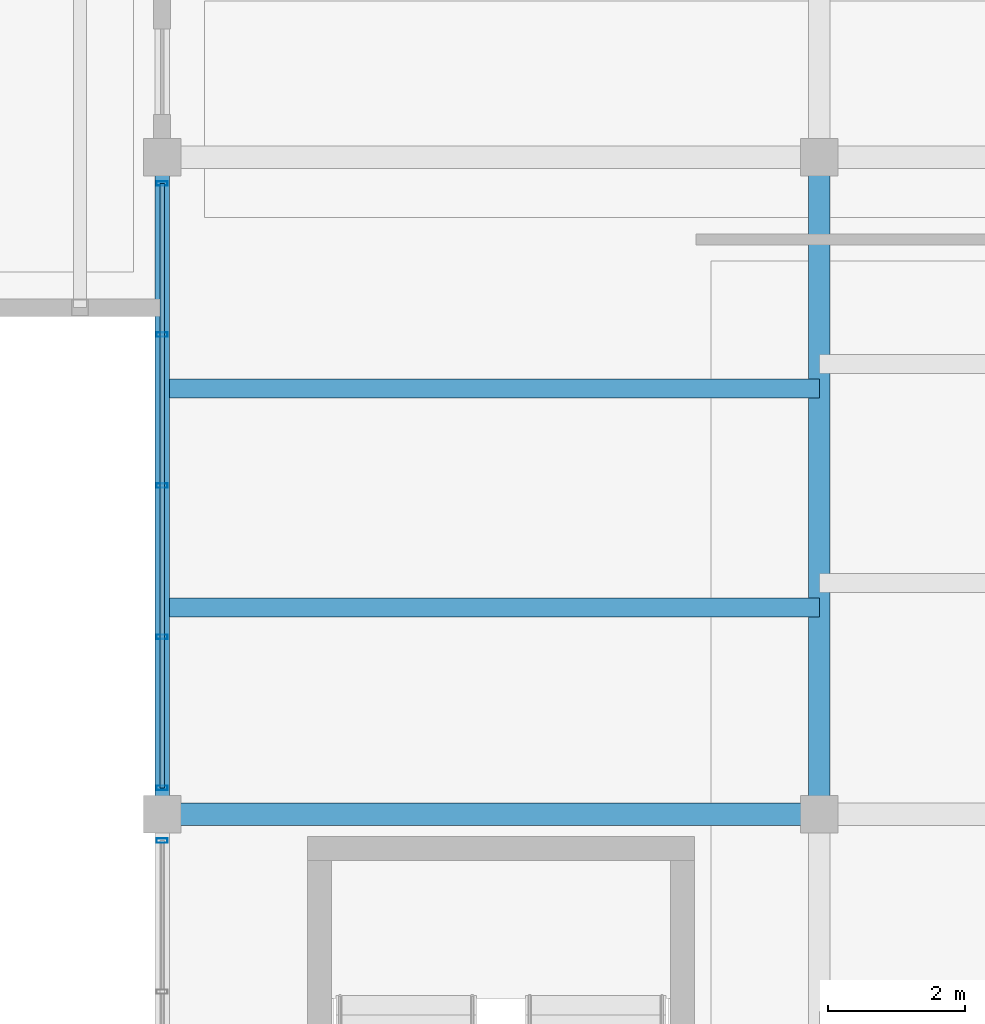
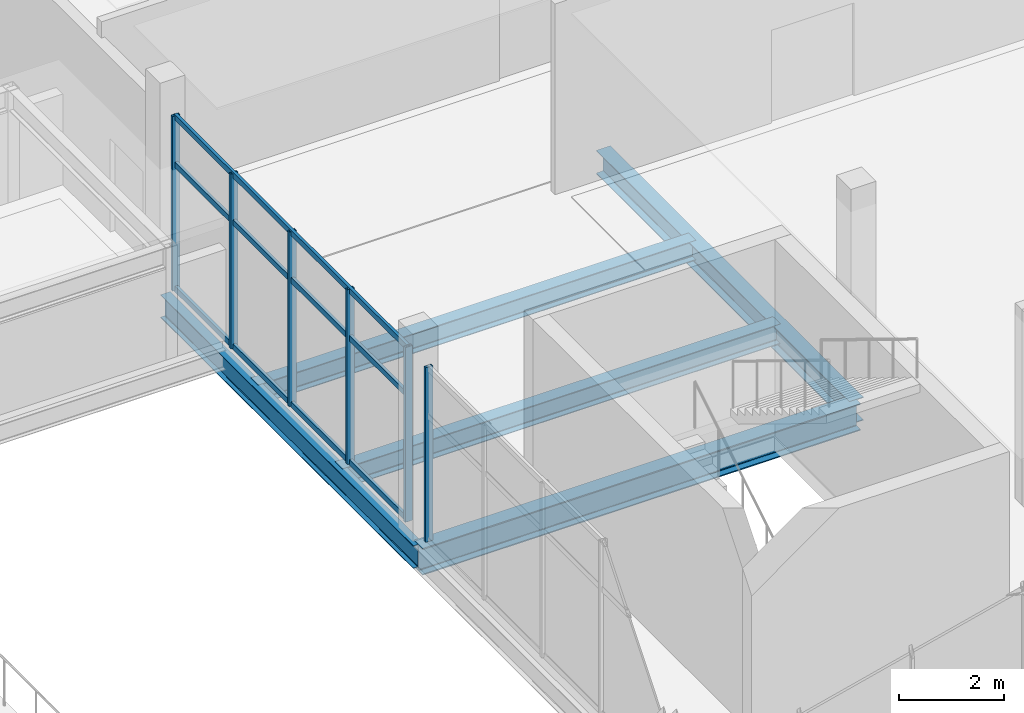
# One storey, part 71 of 157: 9 members, 5 beams, 2 elements without a shape of their own.
"""IFC4 building model written with IfcOpenShell, lengths in metres."""

from ifc_helpers import new_model, si_unit, direction, frame, origin, origin_2d, place, context, subcontext, project, spatial, hollow_rectangle, i_section, extrude, material, layer, layer_set, material_profile, profile_set, type_object, element, aggregate, save


model = new_model("IFC4")

# Units and contexts
model_context = context("Model", 3, precision=1e-05, world=origin(), true_north=direction((0.0, 1.0)))
body_context = subcontext(model_context, "Body", "Model", "MODEL_VIEW")
ifc_project = project(units=[si_unit("LENGTHUNIT", "METRE"), si_unit("AREAUNIT", "SQUARE_METRE"), si_unit("VOLUMEUNIT", "CUBIC_METRE"), si_unit("PLANEANGLEUNIT", "RADIAN"), si_unit("MASSUNIT", "GRAM", prefix="KILO")], contexts=[model_context])

# Site, building, storey
site_placement = place(None, origin())
site = spatial("IfcSite", under=ifc_project, at=site_placement, CompositionType="ELEMENT")
building_placement = place(site_placement, origin())
building = spatial("IfcBuilding", under=site, at=building_placement, Name="Chalmorin Arch Market", CompositionType="ELEMENT")
storey_placement = place(building_placement, frame((0.0, 0.0, 4.800048828125)))
storey = spatial("IfcBuildingStorey", under=building, at=storey_placement, Name="L01", CompositionType="ELEMENT", Elevation=4.800048828125)

# Curtain wall, member
ifc_material_1 = material(Name="Aluminium 6063-T6", Category="aluminium")
ifc_layer = layer(ifc_material_1, 0.159912109375)
ifc_layer_set = layer_set([ifc_layer], Name="Aluminium 6063-T6")
curtain_wall_type = type_object("IfcCurtainWallType", Name="CulinaryStudioCurtainWall-CW3-8830x4050", PredefinedType="NOTDEFINED", material=ifc_layer_set)
curtain_wall_1_placement = place(storey_placement, origin())
curtain_wall_1 = element("IfcCurtainWall", 1, at=curtain_wall_1_placement, inside=storey, type_object=curtain_wall_type, Name="CW-03-107", PredefinedType="NOTDEFINED")
ifc_material_profile_1 = material_profile(ifc_material_1, hollow_rectangle(XDim=0.06494140625, YDim=0.159912109375, WallThickness=0.00390625, at=origin_2d()), Name="ALU65X160X4")
ifc_profile_set_1 = profile_set([ifc_material_profile_1], Name="Aluminium 6063-T6")
member_type_1 = type_object("IfcMemberType", Name="CurtainWallMullion-65x160", PredefinedType="MULLION", material=ifc_profile_set_1)
member_1_placement = place(storey_placement, frame((48.0, 81.215087890625, 0.0), z_axis=(0.0, 0.0, 1.0), x_axis=(0.0, 1.0, 0.0)))
member_1 = element("IfcMember", 2, at=member_1_placement, type_object=member_type_1, Name="ML-107-05", PredefinedType="MULLION", context=body_context, shape_type="SweptSolid", body=[
    extrude(hollow_rectangle(XDim=0.06494140625, YDim=0.159912109375, WallThickness=0.00390625, at=origin_2d()), origin(), (0.0, 0.0, 1.0), 4.0458984375),
])
aggregate(curtain_wall_1, [member_1])

# Curtain wall, members
curtain_wall_2_placement = place(storey_placement, origin())
curtain_wall_2 = element("IfcCurtainWall", 3, at=curtain_wall_2_placement, inside=storey, type_object=curtain_wall_type, Name="CW-03-110", PredefinedType="NOTDEFINED")
member_2_placement = place(storey_placement, frame((48.0, 81.985107421875, 0.0), z_axis=(0.0, 0.0, 1.0), x_axis=(0.0, 1.0, 0.0)))
member_2 = element("IfcMember", 4, at=member_2_placement, type_object=member_type_1, Name="ML-110-01", PredefinedType="MULLION", context=body_context, shape_type="SweptSolid", body=[
    extrude(hollow_rectangle(XDim=0.06494140625, YDim=0.159912109375, WallThickness=0.00390625, at=origin_2d()), origin(), (0.0, 0.0, 1.0), 4.0458984375),
])
member_3_placement = place(storey_placement, frame((48.0, 84.1923828125, 0.0), z_axis=(0.0, 0.0, 1.0), x_axis=(0.0, 1.0, 0.0)))
member_3 = element("IfcMember", 5, at=member_3_placement, type_object=member_type_1, Name="ML-110-02", PredefinedType="MULLION", context=body_context, shape_type="SweptSolid", body=[
    extrude(hollow_rectangle(XDim=0.06494140625, YDim=0.159912109375, WallThickness=0.00390625, at=origin_2d()), origin(), (0.0, 0.0, 1.0), 4.0458984375),
])
member_4_placement = place(storey_placement, frame((48.0, 86.39990234375, 0.0), z_axis=(0.0, 0.0, 1.0), x_axis=(0.0, 1.0, 0.0)))
member_4 = element("IfcMember", 6, at=member_4_placement, type_object=member_type_1, Name="ML-110-03", PredefinedType="MULLION", context=body_context, shape_type="SweptSolid", body=[
    extrude(hollow_rectangle(XDim=0.06494140625, YDim=0.159912109375, WallThickness=0.00390625, at=origin_2d()), origin(), (0.0, 0.0, 1.0), 4.0458984375),
])
member_5_placement = place(storey_placement, frame((48.0, 88.607421875, 0.0), z_axis=(0.0, 0.0, 1.0), x_axis=(0.0, 1.0, 0.0)))
member_5 = element("IfcMember", 7, at=member_5_placement, type_object=member_type_1, Name="ML-110-04", PredefinedType="MULLION", context=body_context, shape_type="SweptSolid", body=[
    extrude(hollow_rectangle(XDim=0.06494140625, YDim=0.159912109375, WallThickness=0.00390625, at=origin_2d()), origin(), (0.0, 0.0, 1.0), 4.0458984375),
])
member_6_placement = place(storey_placement, frame((48.0, 90.81494140625, 0.0), z_axis=(0.0, 0.0, 1.0), x_axis=(0.0, 1.0, 0.0)))
member_6 = element("IfcMember", 8, at=member_6_placement, type_object=member_type_1, Name="ML-110-05", PredefinedType="MULLION", context=body_context, shape_type="SweptSolid", body=[
    extrude(hollow_rectangle(XDim=0.06494140625, YDim=0.159912109375, WallThickness=0.00390625, at=origin_2d()), origin(), (0.0, 0.0, 1.0), 4.0458984375),
])
ifc_material_profile_2 = material_profile(ifc_material_1, hollow_rectangle(XDim=0.06494140625, YDim=0.1298828125, WallThickness=0.00390625, at=origin_2d()), Name="ALU65X130X4")
ifc_profile_set_2 = profile_set([ifc_material_profile_2], Name="Aluminium 6063-T6")
member_type_2 = type_object("IfcMemberType", Name="CurtainWallTransom-65x130", PredefinedType="USERDEFINED", material=ifc_profile_set_2)
member_7_placement = place(storey_placement, frame((48.0, 81.985107421875, 0.034912109375), z_axis=(0.0, 1.0, 0.0), x_axis=(-1.0, 0.0, 0.0)))
member_7 = element("IfcMember", 9, at=member_7_placement, type_object=member_type_2, Name="TR-110-01", ObjectType="TRANSOM", PredefinedType="USERDEFINED", context=body_context, shape_type="SweptSolid", body=[
    extrude(hollow_rectangle(XDim=0.06494140625, YDim=0.1298828125, WallThickness=0.00390625, at=origin_2d()), origin(), (0.0, 0.0, 1.0), 8.829833984375),
])
member_8_placement = place(storey_placement, frame((48.0, 81.985107421875, 2.9130859375), z_axis=(0.0, 1.0, 0.0), x_axis=(-1.0, 0.0, 0.0)))
member_8 = element("IfcMember", 10, at=member_8_placement, type_object=member_type_2, Name="TR-110-02", ObjectType="TRANSOM", PredefinedType="USERDEFINED", context=body_context, shape_type="SweptSolid", body=[
    extrude(hollow_rectangle(XDim=0.06494140625, YDim=0.1298828125, WallThickness=0.00390625, at=origin_2d()), origin(), (0.0, 0.0, 1.0), 8.829833984375),
])
member_9_placement = place(storey_placement, frame((48.0, 81.985107421875, 4.010986328125), z_axis=(0.0, 1.0, 0.0), x_axis=(-1.0, 0.0, 0.0)))
member_9 = element("IfcMember", 11, at=member_9_placement, type_object=member_type_2, Name="TR-110-03", ObjectType="TRANSOM", PredefinedType="USERDEFINED", context=body_context, shape_type="SweptSolid", body=[
    extrude(hollow_rectangle(XDim=0.06494140625, YDim=0.1298828125, WallThickness=0.00390625, at=origin_2d()), origin(), (0.0, 0.0, 1.0), 8.829833984375),
])
aggregate(curtain_wall_2, [member_2, member_3, member_4, member_5, member_6, member_7, member_8, member_9])

# Beams
ifc_material_2 = material(Name="Steel A992 Grade 50", Category="steel")
ifc_material_profile_3 = material_profile(ifc_material_2, i_section(OverallWidth=0.326904296875, OverallDepth=0.6220703125, WebThickness=0.015380859375, FlangeThickness=0.0244140625, FilletRadius=0.02392578125, at=origin_2d()), Name="W24X131")
ifc_profile_set_3 = profile_set([ifc_material_profile_3], Name="Steel A992 Grade 50")
beam_type_1 = type_object("IfcBeamType", Name="HeavyFloorGirder-W24X131", PredefinedType="BEAM", material=ifc_profile_set_3)
beam_1_placement = place(storey_placement, frame((48.0, 81.60009765625, -0.633056640625), z_axis=(1.0, 0.0, 0.0), x_axis=(0.0, 1.0, 0.0)))
element("IfcBeam", 12, at=beam_1_placement, inside=storey, type_object=beam_type_1, Name="BG-W24C-0879", PredefinedType="BEAM", context=body_context, shape_type="SweptSolid", body=[
    extrude(i_section(OverallWidth=0.326904296875, OverallDepth=0.6220703125, WebThickness=0.015380859375, FlangeThickness=0.0244140625, FilletRadius=0.02392578125, at=origin_2d()), origin(), (0.0, 0.0, 1.0), 9.60009765625),
])
ifc_material_profile_4 = material_profile(ifc_material_2, i_section(OverallWidth=0.31201171875, OverallDepth=0.54296875, WebThickness=0.0126953125, FlangeThickness=0.020263671875, FilletRadius=0.02197265625, at=origin_2d()), Name="W21X101")
ifc_profile_set_4 = profile_set([ifc_material_profile_4], Name="Steel A992 Grade 50")
beam_type_2 = type_object("IfcBeamType", Name="KitchenSteelGirder-W21X101", PredefinedType="BEAM", material=ifc_profile_set_4)
beam_2_placement = place(storey_placement, frame((57.60009765625, 81.60009765625, -0.593505859375), z_axis=(0.0, 1.0, 0.0), x_axis=(-1.0, 0.0, 0.0)))
element("IfcBeam", 13, at=beam_2_placement, inside=storey, type_object=beam_type_2, Name="BG-W21C-0884", PredefinedType="BEAM", context=body_context, shape_type="SweptSolid", body=[
    extrude(i_section(OverallWidth=0.31201171875, OverallDepth=0.54296875, WebThickness=0.0126953125, FlangeThickness=0.020263671875, FilletRadius=0.02197265625, at=origin_2d()), origin(), (0.0, 0.0, 1.0), 9.599853515625),
])
ifc_material_profile_5 = material_profile(ifc_material_2, i_section(OverallWidth=0.208984375, OverallDepth=0.532958984375, WebThickness=0.01025390625, FlangeThickness=0.015625, FilletRadius=0.02197265625, at=origin_2d()), Name="W21X62")
ifc_profile_set_5 = profile_set([ifc_material_profile_5], Name="Steel A992 Grade 50")
beam_type_3 = type_object("IfcBeamType", Name="PerimeterSpandrelBeam-W21X62", PredefinedType="SPANDREL", material=ifc_profile_set_5)
beam_3_placement = place(storey_placement, frame((48.0, 81.60009765625, -0.588623046875), z_axis=(0.0, 1.0, 0.0), x_axis=(-1.0, 0.0, 0.0)))
element("IfcBeam", 14, at=beam_3_placement, inside=storey, type_object=beam_type_3, Name="SP-W21-0883", PredefinedType="SPANDREL", context=body_context, shape_type="SweptSolid", body=[
    extrude(i_section(OverallWidth=0.208984375, OverallDepth=0.532958984375, WebThickness=0.01025390625, FlangeThickness=0.015625, FilletRadius=0.02197265625, at=origin_2d()), origin(), (0.0, 0.0, 1.0), 9.599853515625),
])
ifc_material_profile_6 = material_profile(ifc_material_2, i_section(OverallWidth=0.280029296875, OverallDepth=0.462890625, WebThickness=0.0107421875, FlangeThickness=0.017333984375, FilletRadius=0.02001953125, at=origin_2d()), Name="W18X76")
ifc_profile_set_6 = profile_set([ifc_material_profile_6], Name="Steel A992 Grade 50")
beam_type_4 = type_object("IfcBeamType", Name="WorkshopSteelBeam-W18X76", PredefinedType="BEAM", material=ifc_profile_set_6)
for number, where, z_axis, x_axis, name in (
    (15, (48.0, 84.6201171875, -0.553466796875), (1.0, 0.0, 0.0), (0.0, 1.0, 0.0), "BM-W18C-0960"),
    (16, (48.0, 87.820068359375, -0.553466796875), (1.0, 0.0, 0.0), (0.0, 1.0, 0.0), "BM-W18C-0961"),
):
    element("IfcBeam", number, at=place(storey_placement, frame(where, z_axis=z_axis, x_axis=x_axis)), inside=storey, type_object=beam_type_4, Name=name, PredefinedType="BEAM", context=body_context, shape_type="SweptSolid", body=[
        extrude(i_section(OverallWidth=0.280029296875, OverallDepth=0.462890625, WebThickness=0.0107421875, FlangeThickness=0.017333984375, FilletRadius=0.02001953125, at=origin_2d()), origin(), (0.0, 0.0, 1.0), 9.60009765625),
    ])

save(model, "model.ifc")
